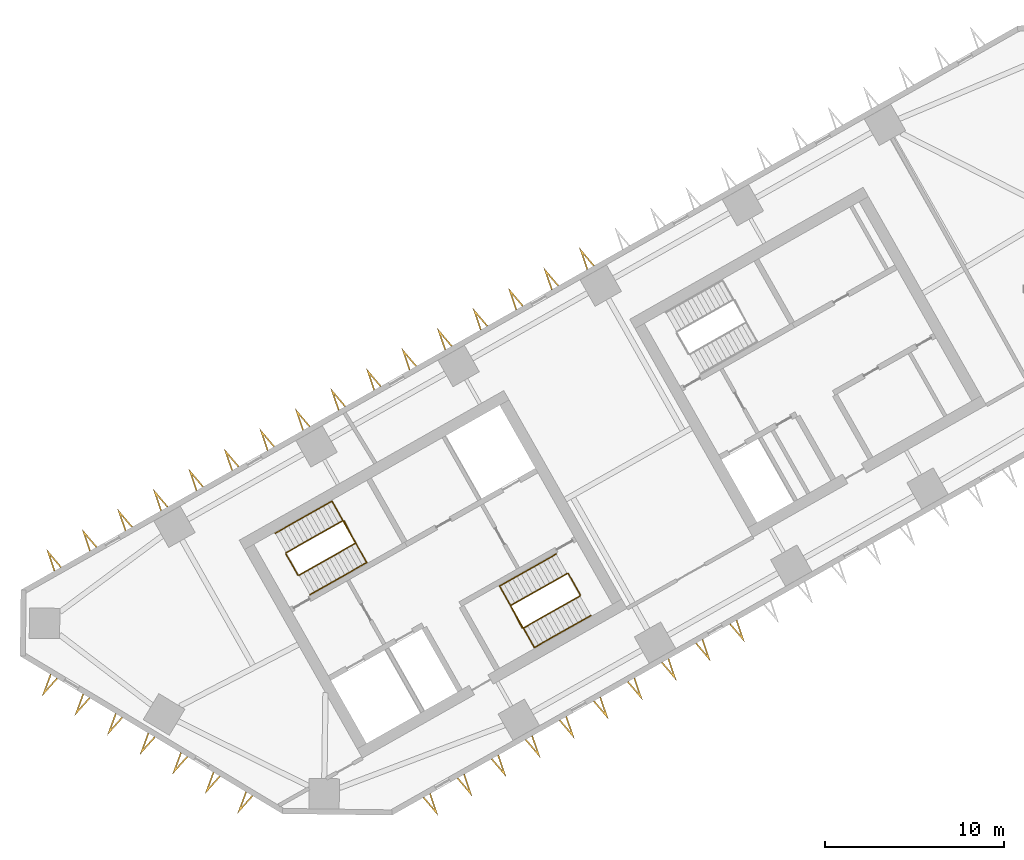
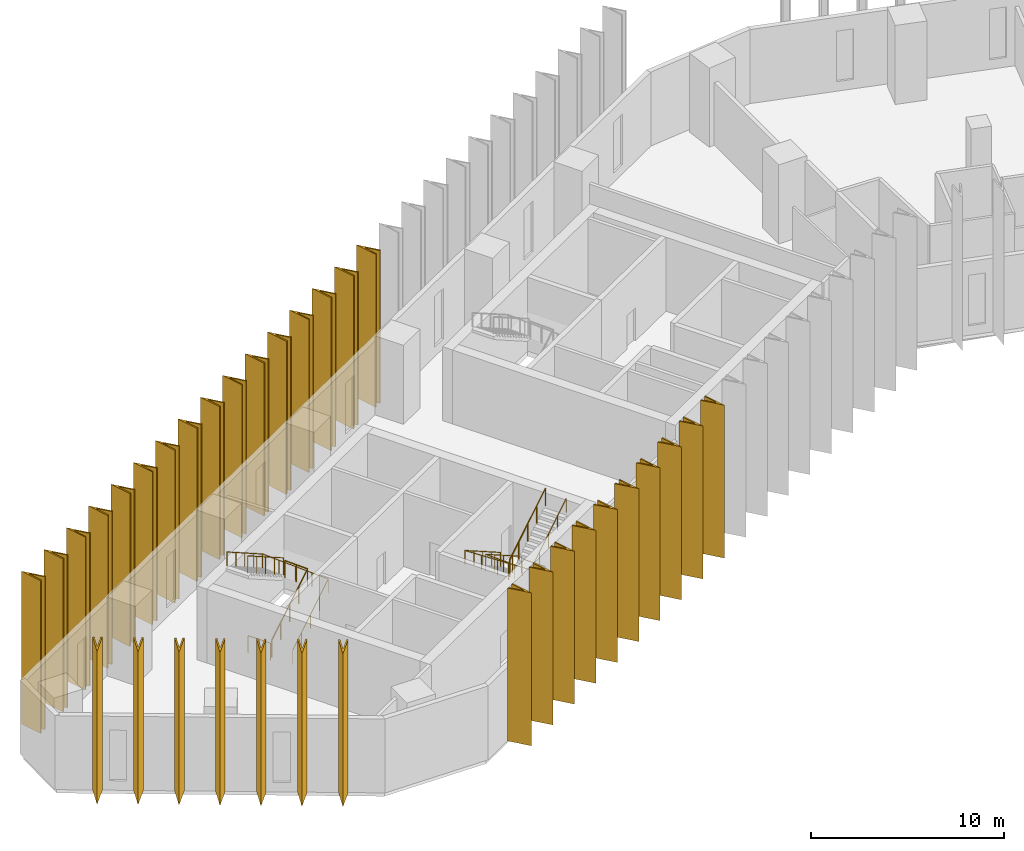
# One storey, part 9 of 11: 33 shading devices, 8 railings.
"""IFC4 building model written with IfcOpenShell, lengths in metres."""

from ifc_helpers import new_model, si_unit, direction, frame, origin, origin_2d, place, context, subcontext, project, spatial, polyline, circle, outline, extrude, material, type_object, element, save


model = new_model("IFC4")

# Units and contexts
model_context = context("Model", 3, precision=1e-05, world=origin(), true_north=direction((0.0, 1.0)))
body_context = subcontext(model_context, "Body", "Model", "MODEL_VIEW")
ifc_project = project(units=[si_unit("LENGTHUNIT", "METRE"), si_unit("AREAUNIT", "SQUARE_METRE"), si_unit("VOLUMEUNIT", "CUBIC_METRE"), si_unit("PLANEANGLEUNIT", "RADIAN"), si_unit("MASSUNIT", "GRAM", prefix="KILO")], contexts=[model_context])

# Site, building, storey
site_placement = place(None, origin())
site = spatial("IfcSite", under=ifc_project, at=site_placement, CompositionType="ELEMENT")
building_placement = place(site_placement, origin())
building = spatial("IfcBuilding", under=site, at=building_placement, Name="Binnacle Exchange Tower", CompositionType="ELEMENT")
storey_placement = place(building_placement, frame((0.0, 0.0, 66.5)))
storey = spatial("IfcBuildingStorey", under=building, at=storey_placement, Name="L13", CompositionType="ELEMENT", Elevation=66.5)

# Railings
ifc_material_1 = material(Name="Steel guard rail", Category="steel")
railing_type_1 = type_object("IfcRailingType", Name="STAIR GUARD 1100", PredefinedType="GUARDRAIL", material=ifc_material_1)
railing_1_placement = place(storey_placement, frame((-43.26171875, 39.71728515625, 0.178466796875)))
element("IfcRailing", 1, at=railing_1_placement, inside=storey, type_object=railing_type_1, Name="L13 STA1 stair guard 1", PredefinedType="GUARDRAIL", context=body_context, shape_type="SweptSolid", body=[
    extrude(circle(Radius=0.02392578125, at=origin_2d()), frame((0.0, 0.0, 1.076171875), z_axis=(0.733795554141, 0.415191658331, 0.537735968274), x_axis=(-0.492450612189, 0.870340390052, 0.0)), (0.0, 0.0, 1.0), 4.317138671875),
    extrude(circle(Radius=0.02392578125, at=origin_2d()), frame((3.16796875, 1.79248046875, 3.3974609375), z_axis=(-0.460963092712, 0.887419307406, 0.0), x_axis=(-0.887419307406, -0.460963092712, 0.0)), (0.0, 0.0, 1.0), 1.40087890625),
    extrude(circle(Radius=0.02099609375, at=origin_2d()), origin(), (0.0, 0.0, 1.0), 1.052001953125),
    extrude(circle(Radius=0.02099609375, at=origin_2d()), frame((0.7919921875, 0.4482421875, 0.580322265625)), (0.0, 0.0, 1.0), 1.052001953125),
    extrude(circle(Radius=0.02099609375, at=origin_2d()), frame((1.583984375, 0.896240234375, 1.16064453125)), (0.0, 0.0, 1.0), 1.052001953125),
    extrude(circle(Radius=0.02099609375, at=origin_2d()), frame((2.3759765625, 1.34423828125, 1.7412109375)), (0.0, 0.0, 1.0), 1.052001953125),
    extrude(circle(Radius=0.02099609375, at=origin_2d()), frame((3.16796875, 1.79248046875, 2.321533203125)), (0.0, 0.0, 1.0), 1.052001953125),
    extrude(circle(Radius=0.02099609375, at=origin_2d()), frame((2.84521484375, 2.4140625, 2.321533203125)), (0.0, 0.0, 1.0), 1.052001953125),
    extrude(circle(Radius=0.02099609375, at=origin_2d()), frame((2.522216796875, 3.03564453125, 2.321533203125)), (0.0, 0.0, 1.0), 1.052001953125),
])
railing_2_placement = place(storey_placement, frame((-40.8076171875, 42.771728515625, 2.678466796875)))
element("IfcRailing", 2, at=railing_2_placement, inside=storey, type_object=railing_type_1, Name="L13 STA1 stair guard 2", PredefinedType="GUARDRAIL", context=body_context, shape_type="SweptSolid", body=[
    extrude(circle(Radius=0.02392578125, at=origin_2d()), frame((0.0, 0.0, 1.076171875), z_axis=(-0.733821652932, -0.415174429824, 0.537713654753), x_axis=(0.492421866095, -0.870356654361, 0.0)), (0.0, 0.0, 1.0), 4.3173828125),
    extrude(circle(Radius=0.02099609375, at=origin_2d()), origin(), (0.0, 0.0, 1.0), 1.052001953125),
    extrude(circle(Radius=0.02099609375, at=origin_2d()), frame((-0.7919921875, -0.4482421875, 0.580322265625)), (0.0, 0.0, 1.0), 1.052001953125),
    extrude(circle(Radius=0.02099609375, at=origin_2d()), frame((-1.583984375, -0.896240234375, 1.16064453125)), (0.0, 0.0, 1.0), 1.052001953125),
    extrude(circle(Radius=0.02099609375, at=origin_2d()), frame((-2.376220703125, -1.34423828125, 1.7412109375)), (0.0, 0.0, 1.0), 1.052001953125),
    extrude(circle(Radius=0.02099609375, at=origin_2d()), frame((-3.168212890625, -1.79248046875, 2.321533203125)), (0.0, 0.0, 1.0), 1.052001953125),
])
railing_3_placement = place(storey_placement, frame((-43.329833984375, 39.736328125, 0.0)))
element("IfcRailing", 3, at=railing_3_placement, inside=storey, type_object=railing_type_1, Name="L13 STA1 stair guard 3", PredefinedType="GUARDRAIL", context=body_context, shape_type="SweptSolid", body=[
    extrude(circle(Radius=0.02392578125, at=origin_2d()), frame((0.0, 0.0, 1.076171875), z_axis=(-0.4924922531, 0.870316827734, 0.0), x_axis=(-0.870316827734, -0.4924922531, 0.0)), (0.0, 0.0, 1.0), 1.349853515625),
    extrude(circle(Radius=0.02099609375, at=origin_2d()), origin(), (0.0, 0.0, 1.0), 1.052001953125),
    extrude(circle(Radius=0.02099609375, at=origin_2d()), frame((-0.33251953125, 0.58740234375, 0.0)), (0.0, 0.0, 1.0), 1.052001953125),
    extrude(circle(Radius=0.02099609375, at=origin_2d()), frame((-0.664794921875, 1.1748046875, 0.0)), (0.0, 0.0, 1.0), 1.052001953125),
])
railing_4_placement = place(storey_placement, frame((-28.265380859375, 39.814453125, 0.178466796875)))
element("IfcRailing", 4, at=railing_4_placement, inside=storey, type_object=railing_type_1, Name="L13 STA2 stair guard 1", PredefinedType="GUARDRAIL", context=body_context, shape_type="SweptSolid", body=[
    extrude(circle(Radius=0.02392578125, at=origin_2d()), frame((0.0, 0.0, 1.076171875), z_axis=(-0.733821652932, -0.415174429824, 0.537713654753), x_axis=(0.492421866095, -0.870356654361, 0.0)), (0.0, 0.0, 1.0), 4.3173828125),
    extrude(circle(Radius=0.02392578125, at=origin_2d()), frame((-3.168212890625, -1.79248046875, 3.3974609375), z_axis=(0.461100321709, -0.887348011391, 0.0), x_axis=(0.887348011391, 0.461100321709, 0.0)), (0.0, 0.0, 1.0), 1.40087890625),
    extrude(circle(Radius=0.02099609375, at=origin_2d()), origin(), (0.0, 0.0, 1.0), 1.052001953125),
    extrude(circle(Radius=0.02099609375, at=origin_2d()), frame((-0.7919921875, -0.4482421875, 0.580322265625)), (0.0, 0.0, 1.0), 1.052001953125),
    extrude(circle(Radius=0.02099609375, at=origin_2d()), frame((-1.583984375, -0.896240234375, 1.16064453125)), (0.0, 0.0, 1.0), 1.052001953125),
    extrude(circle(Radius=0.02099609375, at=origin_2d()), frame((-2.376220703125, -1.34423828125, 1.7412109375)), (0.0, 0.0, 1.0), 1.052001953125),
    extrude(circle(Radius=0.02099609375, at=origin_2d()), frame((-3.168212890625, -1.79248046875, 2.321533203125)), (0.0, 0.0, 1.0), 1.052001953125),
    extrude(circle(Radius=0.02099609375, at=origin_2d()), frame((-2.84521484375, -2.4140625, 2.321533203125)), (0.0, 0.0, 1.0), 1.052001953125),
    extrude(circle(Radius=0.02099609375, at=origin_2d()), frame((-2.522216796875, -3.03564453125, 2.321533203125)), (0.0, 0.0, 1.0), 1.052001953125),
])
railing_5_placement = place(storey_placement, frame((-30.719482421875, 36.760009765625, 2.678466796875)))
element("IfcRailing", 5, at=railing_5_placement, inside=storey, type_object=railing_type_1, Name="L13 STA2 stair guard 2", PredefinedType="GUARDRAIL", context=body_context, shape_type="SweptSolid", body=[
    extrude(circle(Radius=0.02392578125, at=origin_2d()), frame((0.0, 0.0, 1.076171875), z_axis=(0.733795554141, 0.415191658331, 0.537735968274), x_axis=(-0.492450612189, 0.870340390052, 0.0)), (0.0, 0.0, 1.0), 4.317138671875),
    extrude(circle(Radius=0.02099609375, at=origin_2d()), origin(), (0.0, 0.0, 1.0), 1.052001953125),
    extrude(circle(Radius=0.02099609375, at=origin_2d()), frame((0.7919921875, 0.4482421875, 0.580322265625)), (0.0, 0.0, 1.0), 1.052001953125),
    extrude(circle(Radius=0.02099609375, at=origin_2d()), frame((1.583984375, 0.896240234375, 1.16064453125)), (0.0, 0.0, 1.0), 1.052001953125),
    extrude(circle(Radius=0.02099609375, at=origin_2d()), frame((2.3759765625, 1.34423828125, 1.7412109375)), (0.0, 0.0, 1.0), 1.052001953125),
    extrude(circle(Radius=0.02099609375, at=origin_2d()), frame((3.16796875, 1.79248046875, 2.321533203125)), (0.0, 0.0, 1.0), 1.052001953125),
])
railing_6_placement = place(storey_placement, frame((-28.197265625, 39.795654296875, 0.0)))
element("IfcRailing", 6, at=railing_6_placement, inside=storey, type_object=railing_type_1, Name="L13 STA2 stair guard 3", PredefinedType="GUARDRAIL", context=body_context, shape_type="SweptSolid", body=[
    extrude(circle(Radius=0.02392578125, at=origin_2d()), frame((0.0, 0.0, 1.076171875), z_axis=(0.49241474071, -0.870360685654, 0.0), x_axis=(0.870360685654, 0.49241474071, 0.0)), (0.0, 0.0, 1.0), 1.35009765625),
    extrude(circle(Radius=0.02099609375, at=origin_2d()), origin(), (0.0, 0.0, 1.0), 1.052001953125),
    extrude(circle(Radius=0.02099609375, at=origin_2d()), frame((0.33251953125, -0.58740234375, 0.0)), (0.0, 0.0, 1.0), 1.052001953125),
    extrude(circle(Radius=0.02099609375, at=origin_2d()), frame((0.664794921875, -1.175048828125, 0.0)), (0.0, 0.0, 1.0), 1.052001953125),
])
ifc_material_2 = material(Name="Steel handrail", Category="steel")
railing_type_2 = type_object("IfcRailingType", Name="STAIR HANDRAIL 900", PredefinedType="HANDRAIL", material=ifc_material_2)
railing_7_placement = place(storey_placement, frame((-42.646240234375, 38.62939453125, 0.178466796875)))
element("IfcRailing", 7, at=railing_7_placement, inside=storey, type_object=railing_type_2, Name="L13 STA1 stair handrail 1", PredefinedType="HANDRAIL", context=body_context, shape_type="SweptSolid", body=[
    extrude(circle(Radius=0.02392578125, at=origin_2d()), frame((0.0, 0.0, 0.8759765625), z_axis=(0.733821652932, 0.415174429824, 0.537713654753), x_axis=(-0.492421866095, 0.870356654361, 0.0)), (0.0, 0.0, 1.0), 4.3173828125),
    extrude(circle(Radius=0.02392578125, at=origin_2d()), frame((3.168212890625, 1.79248046875, 3.197265625), z_axis=(-0.491985021148, 0.869432866815, 0.045135674003), x_axis=(-0.870319839224, -0.492486931251, 0.0)), (0.0, 0.0, 1.0), 3.9541015625),
    extrude(circle(Radius=0.02392578125, at=origin_2d()), frame((1.222900390625, 5.230224609375, 3.3759765625), z_axis=(-0.733812782489, -0.415144854829, 0.537748593457), x_axis=(0.492399802317, -0.870369137021, 0.0)), (0.0, 0.0, 1.0), 4.317138671875),
    extrude(circle(Radius=0.02099609375, at=origin_2d()), origin(), (0.0, 0.0, 1.0), 0.851806640625),
    extrude(circle(Radius=0.02099609375, at=origin_2d()), frame((0.7919921875, 0.4482421875, 0.580322265625)), (0.0, 0.0, 1.0), 0.851806640625),
    extrude(circle(Radius=0.02099609375, at=origin_2d()), frame((1.583984375, 0.896240234375, 1.16064453125)), (0.0, 0.0, 1.0), 0.851806640625),
    extrude(circle(Radius=0.02099609375, at=origin_2d()), frame((2.376220703125, 1.34423828125, 1.7412109375)), (0.0, 0.0, 1.0), 0.851806640625),
    extrude(circle(Radius=0.02099609375, at=origin_2d()), frame((3.168212890625, 1.79248046875, 2.321533203125)), (0.0, 0.0, 1.0), 0.851806640625),
    extrude(circle(Radius=0.02099609375, at=origin_2d()), frame((2.681884765625, 2.65185546875, 2.3662109375)), (0.0, 0.0, 1.0), 0.851806640625),
    extrude(circle(Radius=0.02099609375, at=origin_2d()), frame((2.195556640625, 3.51123046875, 2.41064453125)), (0.0, 0.0, 1.0), 0.851806640625),
    extrude(circle(Radius=0.02099609375, at=origin_2d()), frame((1.709228515625, 4.370849609375, 2.455322265625)), (0.0, 0.0, 1.0), 0.851806640625),
    extrude(circle(Radius=0.02099609375, at=origin_2d()), frame((1.222900390625, 5.230224609375, 2.5)), (0.0, 0.0, 1.0), 0.851806640625),
    extrude(circle(Radius=0.02099609375, at=origin_2d()), frame((0.430908203125, 4.7822265625, 3.080322265625)), (0.0, 0.0, 1.0), 0.851806640625),
    extrude(circle(Radius=0.02099609375, at=origin_2d()), frame((-0.361083984375, 4.333984375, 3.66064453125)), (0.0, 0.0, 1.0), 0.851806640625),
    extrude(circle(Radius=0.02099609375, at=origin_2d()), frame((-1.153076171875, 3.885986328125, 4.2412109375)), (0.0, 0.0, 1.0), 0.851806640625),
    extrude(circle(Radius=0.02099609375, at=origin_2d()), frame((-1.945068359375, 3.43798828125, 4.821533203125)), (0.0, 0.0, 1.0), 0.851806640625),
])
railing_8_placement = place(storey_placement, frame((-28.880859375, 40.90234375, 0.178466796875)))
element("IfcRailing", 8, at=railing_8_placement, inside=storey, type_object=railing_type_2, Name="L13 STA2 stair handrail 1", PredefinedType="HANDRAIL", context=body_context, shape_type="SweptSolid", body=[
    extrude(circle(Radius=0.02392578125, at=origin_2d()), frame((0.0, 0.0, 0.8759765625), z_axis=(-0.733838880464, -0.415127627455, 0.537726278364), x_axis=(0.492371057291, -0.870385398511, 0.0)), (0.0, 0.0, 1.0), 4.3173828125),
    extrude(circle(Radius=0.02392578125, at=origin_2d()), frame((-3.168212890625, -1.792236328125, 3.197265625), z_axis=(0.491911810019, -0.86947434526, 0.045134621956), x_axis=(0.870361318571, 0.492413622004, 0.0)), (0.0, 0.0, 1.0), 3.9541015625),
    extrude(circle(Radius=0.02392578125, at=origin_2d()), frame((-1.22314453125, -5.230224609375, 3.3759765625), z_axis=(0.733821652932, 0.415174429824, 0.537713654753), x_axis=(-0.492421866095, 0.870356654361, 0.0)), (0.0, 0.0, 1.0), 4.3173828125),
    extrude(circle(Radius=0.02099609375, at=origin_2d()), origin(), (0.0, 0.0, 1.0), 0.851806640625),
    extrude(circle(Radius=0.02099609375, at=origin_2d()), frame((-0.7919921875, -0.447998046875, 0.580322265625)), (0.0, 0.0, 1.0), 0.851806640625),
    extrude(circle(Radius=0.02099609375, at=origin_2d()), frame((-1.583984375, -0.89599609375, 1.16064453125)), (0.0, 0.0, 1.0), 0.851806640625),
    extrude(circle(Radius=0.02099609375, at=origin_2d()), frame((-2.376220703125, -1.34423828125, 1.7412109375)), (0.0, 0.0, 1.0), 0.851806640625),
    extrude(circle(Radius=0.02099609375, at=origin_2d()), frame((-3.168212890625, -1.792236328125, 2.321533203125)), (0.0, 0.0, 1.0), 0.851806640625),
    extrude(circle(Radius=0.02099609375, at=origin_2d()), frame((-2.681884765625, -2.65185546875, 2.3662109375)), (0.0, 0.0, 1.0), 0.851806640625),
    extrude(circle(Radius=0.02099609375, at=origin_2d()), frame((-2.19580078125, -3.51123046875, 2.41064453125)), (0.0, 0.0, 1.0), 0.851806640625),
    extrude(circle(Radius=0.02099609375, at=origin_2d()), frame((-1.70947265625, -4.37060546875, 2.455322265625)), (0.0, 0.0, 1.0), 0.851806640625),
    extrude(circle(Radius=0.02099609375, at=origin_2d()), frame((-1.22314453125, -5.230224609375, 2.5)), (0.0, 0.0, 1.0), 0.851806640625),
    extrude(circle(Radius=0.02099609375, at=origin_2d()), frame((-0.43115234375, -4.7822265625, 3.080322265625)), (0.0, 0.0, 1.0), 0.851806640625),
    extrude(circle(Radius=0.02099609375, at=origin_2d()), frame((0.36083984375, -4.333984375, 3.66064453125)), (0.0, 0.0, 1.0), 0.851806640625),
    extrude(circle(Radius=0.02099609375, at=origin_2d()), frame((1.153076171875, -3.8857421875, 4.2412109375)), (0.0, 0.0, 1.0), 0.851806640625),
    extrude(circle(Radius=0.02099609375, at=origin_2d()), frame((1.945068359375, -3.437744140625, 4.821533203125)), (0.0, 0.0, 1.0), 0.851806640625),
])

# Shading devices
ifc_material_3 = material(Name="Bronze aluminium cladding", Category="aluminium")
shading_device_type = type_object("IfcShadingDeviceType", Name="V FIN 1300 DEEP x 9680 HIGH", PredefinedType="USERDEFINED", material=ifc_material_3)
shading_device_1_placement = place(storey_placement, origin())
element("IfcShadingDevice", 9, at=shading_device_1_placement, inside=storey, type_object=shading_device_type, Name="V fin FN-F03-12 L13", ObjectType="FIN", PredefinedType="USERDEFINED", context=body_context, shape_type="SweptSolid", body=[
    extrude(outline(polyline([(-26.7412109375, 57.04296875), (-27.59912109375, 58.05126953125), (-27.176513671875, 56.796630859375), (-27.10546875, 56.8369140625), (-27.390380859375, 57.6826171875), (-26.81201171875, 57.002685546875), (-26.7412109375, 57.04296875)])), origin(), (0.0, 0.0, 1.0), 9.679931640625),
])
shading_device_2_placement = place(storey_placement, origin())
element("IfcShadingDevice", 10, at=shading_device_2_placement, inside=storey, type_object=shading_device_type, Name="V fin FN-F03-13 L13", ObjectType="FIN", PredefinedType="USERDEFINED", context=body_context, shape_type="SweptSolid", body=[
    extrude(outline(polyline([(-28.727783203125, 55.9189453125), (-29.58544921875, 56.92724609375), (-29.162841796875, 55.672607421875), (-29.092041015625, 55.712890625), (-29.376708984375, 56.55859375), (-28.798583984375, 55.87890625), (-28.727783203125, 55.9189453125)])), origin(), (0.0, 0.0, 1.0), 9.679931640625),
])
shading_device_3_placement = place(storey_placement, origin())
element("IfcShadingDevice", 11, at=shading_device_3_placement, inside=storey, type_object=shading_device_type, Name="V fin FN-F03-14 L13", ObjectType="FIN", PredefinedType="USERDEFINED", context=body_context, shape_type="SweptSolid", body=[
    extrude(outline(polyline([(-30.71435546875, 54.794921875), (-31.572021484375, 55.803466796875), (-31.1494140625, 54.548828125), (-31.07861328125, 54.5888671875), (-31.36328125, 55.434814453125), (-30.78515625, 54.7548828125), (-30.71435546875, 54.794921875)])), origin(), (0.0, 0.0, 1.0), 9.679931640625),
])
shading_device_4_placement = place(storey_placement, origin())
element("IfcShadingDevice", 12, at=shading_device_4_placement, inside=storey, type_object=shading_device_type, Name="V fin FN-F03-15 L13", ObjectType="FIN", PredefinedType="USERDEFINED", context=body_context, shape_type="SweptSolid", body=[
    extrude(outline(polyline([(-32.70068359375, 53.6708984375), (-33.55859375, 54.679443359375), (-33.135986328125, 53.4248046875), (-33.065185546875, 53.46484375), (-33.349853515625, 54.310791015625), (-32.771728515625, 53.630859375), (-32.70068359375, 53.6708984375)])), origin(), (0.0, 0.0, 1.0), 9.679931640625),
])
shading_device_5_placement = place(storey_placement, origin())
element("IfcShadingDevice", 13, at=shading_device_5_placement, inside=storey, type_object=shading_device_type, Name="V fin FN-F03-16 L13", ObjectType="FIN", PredefinedType="USERDEFINED", context=body_context, shape_type="SweptSolid", body=[
    extrude(outline(polyline([(-34.687255859375, 52.547119140625), (-35.545166015625, 53.555419921875), (-35.12255859375, 52.30078125), (-35.051513671875, 52.341064453125), (-35.33642578125, 53.186767578125), (-34.75830078125, 52.507080078125), (-34.687255859375, 52.547119140625)])), origin(), (0.0, 0.0, 1.0), 9.679931640625),
])
shading_device_6_placement = place(storey_placement, origin())
element("IfcShadingDevice", 14, at=shading_device_6_placement, inside=storey, type_object=shading_device_type, Name="V fin FN-F03-17 L13", ObjectType="FIN", PredefinedType="USERDEFINED", context=body_context, shape_type="SweptSolid", body=[
    extrude(outline(polyline([(-36.673828125, 51.423095703125), (-37.53173828125, 52.431640625), (-37.109130859375, 51.177001953125), (-37.0380859375, 51.217041015625), (-37.322998046875, 52.06298828125), (-36.744873046875, 51.383056640625), (-36.673828125, 51.423095703125)])), origin(), (0.0, 0.0, 1.0), 9.679931640625),
])
shading_device_7_placement = place(storey_placement, origin())
element("IfcShadingDevice", 15, at=shading_device_7_placement, inside=storey, type_object=shading_device_type, Name="V fin FN-F03-18 L13", ObjectType="FIN", PredefinedType="USERDEFINED", context=body_context, shape_type="SweptSolid", body=[
    extrude(outline(polyline([(-38.660400390625, 50.29931640625), (-39.518310546875, 51.3076171875), (-39.095703125, 50.052978515625), (-39.02490234375, 50.093017578125), (-39.3095703125, 50.93896484375), (-38.7314453125, 50.259033203125), (-38.660400390625, 50.29931640625)])), origin(), (0.0, 0.0, 1.0), 9.679931640625),
])
shading_device_8_placement = place(storey_placement, origin())
element("IfcShadingDevice", 16, at=shading_device_8_placement, inside=storey, type_object=shading_device_type, Name="V fin FN-F03-19 L13", ObjectType="FIN", PredefinedType="USERDEFINED", context=body_context, shape_type="SweptSolid", body=[
    extrude(outline(polyline([(-40.64697265625, 49.17529296875), (-41.5048828125, 50.18359375), (-41.082275390625, 48.92919921875), (-41.01123046875, 48.96923828125), (-41.296142578125, 49.81494140625), (-40.718017578125, 49.13525390625), (-40.64697265625, 49.17529296875)])), origin(), (0.0, 0.0, 1.0), 9.679931640625),
])
shading_device_9_placement = place(storey_placement, origin())
element("IfcShadingDevice", 17, at=shading_device_9_placement, inside=storey, type_object=shading_device_type, Name="V fin FN-F03-20 L13", ObjectType="FIN", PredefinedType="USERDEFINED", context=body_context, shape_type="SweptSolid", body=[
    extrude(outline(polyline([(-42.633544921875, 48.05126953125), (-43.491455078125, 49.059814453125), (-43.06884765625, 47.80517578125), (-42.997802734375, 47.84521484375), (-43.28271484375, 48.69091796875), (-42.70458984375, 48.01123046875), (-42.633544921875, 48.05126953125)])), origin(), (0.0, 0.0, 1.0), 9.679931640625),
])
shading_device_10_placement = place(storey_placement, origin())
element("IfcShadingDevice", 18, at=shading_device_10_placement, inside=storey, type_object=shading_device_type, Name="V fin FN-F03-21 L13", ObjectType="FIN", PredefinedType="USERDEFINED", context=body_context, shape_type="SweptSolid", body=[
    extrude(outline(polyline([(-44.6201171875, 46.927490234375), (-45.47802734375, 47.935791015625), (-45.055419921875, 46.68115234375), (-44.984619140625, 46.72119140625), (-45.269287109375, 47.567138671875), (-44.691162109375, 46.88720703125), (-44.6201171875, 46.927490234375)])), origin(), (0.0, 0.0, 1.0), 9.679931640625),
])
shading_device_11_placement = place(storey_placement, origin())
element("IfcShadingDevice", 19, at=shading_device_11_placement, inside=storey, type_object=shading_device_type, Name="V fin FN-F03-22 L13", ObjectType="FIN", PredefinedType="USERDEFINED", context=body_context, shape_type="SweptSolid", body=[
    extrude(outline(polyline([(-46.606689453125, 45.803466796875), (-47.464599609375, 46.81201171875), (-47.0419921875, 45.557373046875), (-46.970947265625, 45.597412109375), (-47.255859375, 46.443115234375), (-46.677490234375, 45.763427734375), (-46.606689453125, 45.803466796875)])), origin(), (0.0, 0.0, 1.0), 9.679931640625),
])
shading_device_12_placement = place(storey_placement, origin())
element("IfcShadingDevice", 20, at=shading_device_12_placement, inside=storey, type_object=shading_device_type, Name="V fin FN-F03-23 L13", ObjectType="FIN", PredefinedType="USERDEFINED", context=body_context, shape_type="SweptSolid", body=[
    extrude(outline(polyline([(-48.59326171875, 44.679443359375), (-49.451171875, 45.68798828125), (-49.028564453125, 44.433349609375), (-48.95751953125, 44.473388671875), (-49.242431640625, 45.319091796875), (-48.664306640625, 44.639404296875), (-48.59326171875, 44.679443359375)])), origin(), (0.0, 0.0, 1.0), 9.679931640625),
])
shading_device_13_placement = place(storey_placement, origin())
element("IfcShadingDevice", 21, at=shading_device_13_placement, inside=storey, type_object=shading_device_type, Name="V fin FN-F03-24 L13", ObjectType="FIN", PredefinedType="USERDEFINED", context=body_context, shape_type="SweptSolid", body=[
    extrude(outline(polyline([(-50.579833984375, 43.5556640625), (-51.4375, 44.56396484375), (-51.014892578125, 43.309326171875), (-50.944091796875, 43.349609375), (-51.22900390625, 44.1953125), (-50.650634765625, 43.515380859375), (-50.579833984375, 43.5556640625)])), origin(), (0.0, 0.0, 1.0), 9.679931640625),
])
shading_device_14_placement = place(storey_placement, origin())
element("IfcShadingDevice", 22, at=shading_device_14_placement, inside=storey, type_object=shading_device_type, Name="V fin FN-F03-25 L13", ObjectType="FIN", PredefinedType="USERDEFINED", context=body_context, shape_type="SweptSolid", body=[
    extrude(outline(polyline([(-52.56640625, 42.431640625), (-53.42431640625, 43.440185546875), (-53.001708984375, 42.185546875), (-52.9306640625, 42.2255859375), (-53.215576171875, 43.0712890625), (-52.63720703125, 42.3916015625), (-52.56640625, 42.431640625)])), origin(), (0.0, 0.0, 1.0), 9.679931640625),
])
shading_device_15_placement = place(storey_placement, origin())
element("IfcShadingDevice", 23, at=shading_device_15_placement, inside=storey, type_object=shading_device_type, Name="V fin FN-F03-26 L13", ObjectType="FIN", PredefinedType="USERDEFINED", context=body_context, shape_type="SweptSolid", body=[
    extrude(outline(polyline([(-54.552978515625, 41.3076171875), (-55.410888671875, 42.316162109375), (-54.98828125, 41.0615234375), (-54.917236328125, 41.1015625), (-55.2021484375, 41.947509765625), (-54.623779296875, 41.267578125), (-54.552978515625, 41.3076171875)])), origin(), (0.0, 0.0, 1.0), 9.679931640625),
])
shading_device_16_placement = place(storey_placement, origin())
element("IfcShadingDevice", 24, at=shading_device_16_placement, inside=storey, type_object=shading_device_type, Name="V fin FN-F03-27 L13", ObjectType="FIN", PredefinedType="USERDEFINED", context=body_context, shape_type="SweptSolid", body=[
    extrude(outline(polyline([(-56.53955078125, 40.183837890625), (-57.397216796875, 41.192138671875), (-56.974609375, 39.9375), (-56.90380859375, 39.977783203125), (-57.188720703125, 40.823486328125), (-56.6103515625, 40.143798828125), (-56.53955078125, 40.183837890625)])), origin(), (0.0, 0.0, 1.0), 9.679931640625),
])
shading_device_17_placement = place(storey_placement, origin())
element("IfcShadingDevice", 25, at=shading_device_17_placement, inside=storey, type_object=shading_device_type, Name="V fin FN-F05-01 L13", ObjectType="FIN", PredefinedType="USERDEFINED", context=body_context, shape_type="SweptSolid", body=[
    extrude(outline(polyline([(-57.18603515625, 34.185791015625), (-57.641357421875, 32.94287109375), (-56.757568359375, 33.92822265625), (-56.827392578125, 33.97021484375), (-57.423095703125, 33.305908203125), (-57.1162109375, 34.143798828125), (-57.18603515625, 34.185791015625)])), origin(), (0.0, 0.0, 1.0), 9.679931640625),
])
shading_device_18_placement = place(storey_placement, origin())
element("IfcShadingDevice", 26, at=shading_device_18_placement, inside=storey, type_object=shading_device_type, Name="V fin FN-F05-02 L13", ObjectType="FIN", PredefinedType="USERDEFINED", context=body_context, shape_type="SweptSolid", body=[
    extrude(outline(polyline([(-55.364501953125, 33.09130859375), (-55.81982421875, 31.848388671875), (-54.93603515625, 32.833740234375), (-55.005859375, 32.875732421875), (-55.601806640625, 32.21142578125), (-55.294921875, 33.04931640625), (-55.364501953125, 33.09130859375)])), origin(), (0.0, 0.0, 1.0), 9.679931640625),
])
shading_device_19_placement = place(storey_placement, origin())
element("IfcShadingDevice", 27, at=shading_device_19_placement, inside=storey, type_object=shading_device_type, Name="V fin FN-F05-03 L13", ObjectType="FIN", PredefinedType="USERDEFINED", context=body_context, shape_type="SweptSolid", body=[
    extrude(outline(polyline([(-53.543212890625, 31.9970703125), (-53.998291015625, 30.75390625), (-53.114501953125, 31.739501953125), (-53.184326171875, 31.781494140625), (-53.7802734375, 31.116943359375), (-53.473388671875, 31.955078125), (-53.543212890625, 31.9970703125)])), origin(), (0.0, 0.0, 1.0), 9.679931640625),
])
shading_device_20_placement = place(storey_placement, origin())
element("IfcShadingDevice", 28, at=shading_device_20_placement, inside=storey, type_object=shading_device_type, Name="V fin FN-F05-04 L13", ObjectType="FIN", PredefinedType="USERDEFINED", context=body_context, shape_type="SweptSolid", body=[
    extrude(outline(polyline([(-51.7216796875, 30.902587890625), (-52.1767578125, 29.659423828125), (-51.29296875, 30.64501953125), (-51.36279296875, 30.68701171875), (-51.958740234375, 30.0224609375), (-51.65185546875, 30.860595703125), (-51.7216796875, 30.902587890625)])), origin(), (0.0, 0.0, 1.0), 9.679931640625),
])
shading_device_21_placement = place(storey_placement, origin())
element("IfcShadingDevice", 29, at=shading_device_21_placement, inside=storey, type_object=shading_device_type, Name="V fin FN-F05-05 L13", ObjectType="FIN", PredefinedType="USERDEFINED", context=body_context, shape_type="SweptSolid", body=[
    extrude(outline(polyline([(-49.900146484375, 29.80810546875), (-50.35546875, 28.56494140625), (-49.4716796875, 29.55029296875), (-49.54150390625, 29.59228515625), (-50.13720703125, 28.927978515625), (-49.830322265625, 29.76611328125), (-49.900146484375, 29.80810546875)])), origin(), (0.0, 0.0, 1.0), 9.679931640625),
])
shading_device_22_placement = place(storey_placement, origin())
element("IfcShadingDevice", 30, at=shading_device_22_placement, inside=storey, type_object=shading_device_type, Name="V fin FN-F05-06 L13", ObjectType="FIN", PredefinedType="USERDEFINED", context=body_context, shape_type="SweptSolid", body=[
    extrude(outline(polyline([(-48.07861328125, 28.713623046875), (-48.533935546875, 27.470458984375), (-47.650146484375, 28.4560546875), (-47.719970703125, 28.498046875), (-48.31591796875, 27.83349609375), (-48.0087890625, 28.671630859375), (-48.07861328125, 28.713623046875)])), origin(), (0.0, 0.0, 1.0), 9.679931640625),
])
shading_device_23_placement = place(storey_placement, origin())
element("IfcShadingDevice", 31, at=shading_device_23_placement, inside=storey, type_object=shading_device_type, Name="V fin FN-F05-07 L13", ObjectType="FIN", PredefinedType="USERDEFINED", context=body_context, shape_type="SweptSolid", body=[
    extrude(outline(polyline([(-46.257080078125, 27.619140625), (-46.71240234375, 26.3759765625), (-45.82861328125, 27.361572265625), (-45.8984375, 27.403564453125), (-46.494384765625, 26.739013671875), (-46.1875, 27.5771484375), (-46.257080078125, 27.619140625)])), origin(), (0.0, 0.0, 1.0), 9.679931640625),
])
shading_device_24_placement = place(storey_placement, origin())
element("IfcShadingDevice", 32, at=shading_device_24_placement, inside=storey, type_object=shading_device_type, Name="V fin FN-F07-01 L13", ObjectType="FIN", PredefinedType="USERDEFINED", context=body_context, shape_type="SweptSolid", body=[
    extrude(outline(polyline([(-36.336669921875, 27.269287109375), (-35.47900390625, 26.260986328125), (-35.901611328125, 27.515625), (-35.972412109375, 27.4755859375), (-35.6875, 26.629638671875), (-36.265869140625, 27.3095703125), (-36.336669921875, 27.269287109375)])), origin(), (0.0, 0.0, 1.0), 9.679931640625),
])
shading_device_25_placement = place(storey_placement, origin())
element("IfcShadingDevice", 33, at=shading_device_25_placement, inside=storey, type_object=shading_device_type, Name="V fin FN-F07-02 L13", ObjectType="FIN", PredefinedType="USERDEFINED", context=body_context, shape_type="SweptSolid", body=[
    extrude(outline(polyline([(-34.431640625, 28.34716796875), (-33.573974609375, 27.338623046875), (-33.99658203125, 28.59326171875), (-34.0673828125, 28.55322265625), (-33.78271484375, 27.70751953125), (-34.36083984375, 28.38720703125), (-34.431640625, 28.34716796875)])), origin(), (0.0, 0.0, 1.0), 9.679931640625),
])
shading_device_26_placement = place(storey_placement, origin())
element("IfcShadingDevice", 34, at=shading_device_26_placement, inside=storey, type_object=shading_device_type, Name="V fin FN-F07-03 L13", ObjectType="FIN", PredefinedType="USERDEFINED", context=body_context, shape_type="SweptSolid", body=[
    extrude(outline(polyline([(-32.52685546875, 29.4248046875), (-31.669189453125, 28.41650390625), (-32.091796875, 29.671142578125), (-32.16259765625, 29.631103515625), (-31.877685546875, 28.78515625), (-32.4560546875, 29.465087890625), (-32.52685546875, 29.4248046875)])), origin(), (0.0, 0.0, 1.0), 9.679931640625),
])
shading_device_27_placement = place(storey_placement, origin())
element("IfcShadingDevice", 35, at=shading_device_27_placement, inside=storey, type_object=shading_device_type, Name="V fin FN-F07-04 L13", ObjectType="FIN", PredefinedType="USERDEFINED", context=body_context, shape_type="SweptSolid", body=[
    extrude(outline(polyline([(-30.6220703125, 30.502685546875), (-29.76416015625, 29.494140625), (-30.186767578125, 30.748779296875), (-30.2578125, 30.708740234375), (-29.972900390625, 29.86279296875), (-30.551025390625, 30.542724609375), (-30.6220703125, 30.502685546875)])), origin(), (0.0, 0.0, 1.0), 9.679931640625),
])
shading_device_28_placement = place(storey_placement, origin())
element("IfcShadingDevice", 36, at=shading_device_28_placement, inside=storey, type_object=shading_device_type, Name="V fin FN-F07-05 L13", ObjectType="FIN", PredefinedType="USERDEFINED", context=body_context, shape_type="SweptSolid", body=[
    extrude(outline(polyline([(-28.717041015625, 31.580322265625), (-27.859375, 30.572021484375), (-28.281982421875, 31.826416015625), (-28.352783203125, 31.786376953125), (-28.068115234375, 30.940673828125), (-28.646240234375, 31.620361328125), (-28.717041015625, 31.580322265625)])), origin(), (0.0, 0.0, 1.0), 9.679931640625),
])
shading_device_29_placement = place(storey_placement, origin())
element("IfcShadingDevice", 37, at=shading_device_29_placement, inside=storey, type_object=shading_device_type, Name="V fin FN-F07-06 L13", ObjectType="FIN", PredefinedType="USERDEFINED", context=body_context, shape_type="SweptSolid", body=[
    extrude(outline(polyline([(-26.812255859375, 32.658203125), (-25.954345703125, 31.649658203125), (-26.376953125, 32.904296875), (-26.447998046875, 32.8642578125), (-26.1630859375, 32.018310546875), (-26.7412109375, 32.6982421875), (-26.812255859375, 32.658203125)])), origin(), (0.0, 0.0, 1.0), 9.679931640625),
])
shading_device_30_placement = place(storey_placement, origin())
element("IfcShadingDevice", 38, at=shading_device_30_placement, inside=storey, type_object=shading_device_type, Name="V fin FN-F07-07 L13", ObjectType="FIN", PredefinedType="USERDEFINED", context=body_context, shape_type="SweptSolid", body=[
    extrude(outline(polyline([(-24.9072265625, 33.73583984375), (-24.049560546875, 32.727294921875), (-24.47216796875, 33.98193359375), (-24.54296875, 33.94189453125), (-24.25830078125, 33.09619140625), (-24.83642578125, 33.77587890625), (-24.9072265625, 33.73583984375)])), origin(), (0.0, 0.0, 1.0), 9.679931640625),
])
shading_device_31_placement = place(storey_placement, origin())
element("IfcShadingDevice", 39, at=shading_device_31_placement, inside=storey, type_object=shading_device_type, Name="V fin FN-F07-08 L13", ObjectType="FIN", PredefinedType="USERDEFINED", context=body_context, shape_type="SweptSolid", body=[
    extrude(outline(polyline([(-23.00244140625, 34.8134765625), (-22.14453125, 33.80517578125), (-22.567138671875, 35.059814453125), (-22.63818359375, 35.01953125), (-22.353271484375, 34.173828125), (-22.931396484375, 34.853515625), (-23.00244140625, 34.8134765625)])), origin(), (0.0, 0.0, 1.0), 9.679931640625),
])
shading_device_32_placement = place(storey_placement, origin())
element("IfcShadingDevice", 40, at=shading_device_32_placement, inside=storey, type_object=shading_device_type, Name="V fin FN-F07-09 L13", ObjectType="FIN", PredefinedType="USERDEFINED", context=body_context, shape_type="SweptSolid", body=[
    extrude(outline(polyline([(-21.097412109375, 35.891357421875), (-20.23974609375, 34.8828125), (-20.662353515625, 36.137451171875), (-20.733154296875, 36.097412109375), (-20.448486328125, 35.251708984375), (-21.026611328125, 35.931396484375), (-21.097412109375, 35.891357421875)])), origin(), (0.0, 0.0, 1.0), 9.679931640625),
])
shading_device_33_placement = place(storey_placement, origin())
element("IfcShadingDevice", 41, at=shading_device_33_placement, inside=storey, type_object=shading_device_type, Name="V fin FN-F07-10 L13", ObjectType="FIN", PredefinedType="USERDEFINED", context=body_context, shape_type="SweptSolid", body=[
    extrude(outline(polyline([(-19.192626953125, 36.968994140625), (-18.334716796875, 35.960693359375), (-18.75732421875, 37.215087890625), (-18.828369140625, 37.175048828125), (-18.54345703125, 36.329345703125), (-19.12158203125, 37.009033203125), (-19.192626953125, 36.968994140625)])), origin(), (0.0, 0.0, 1.0), 9.679931640625),
])

save(model, "model.ifc")
